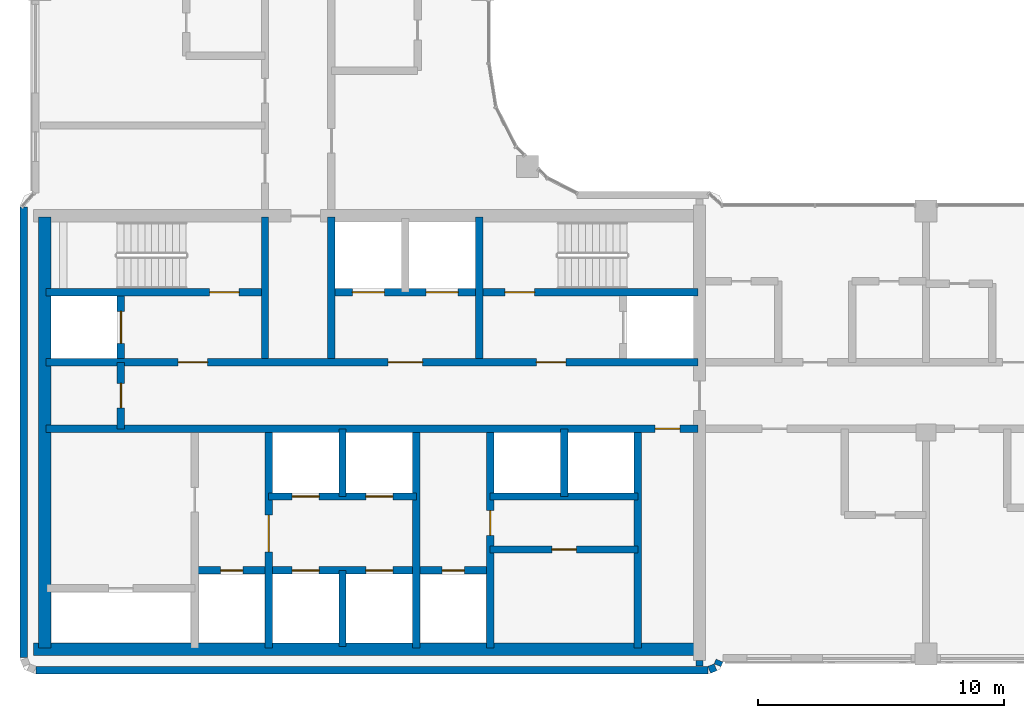
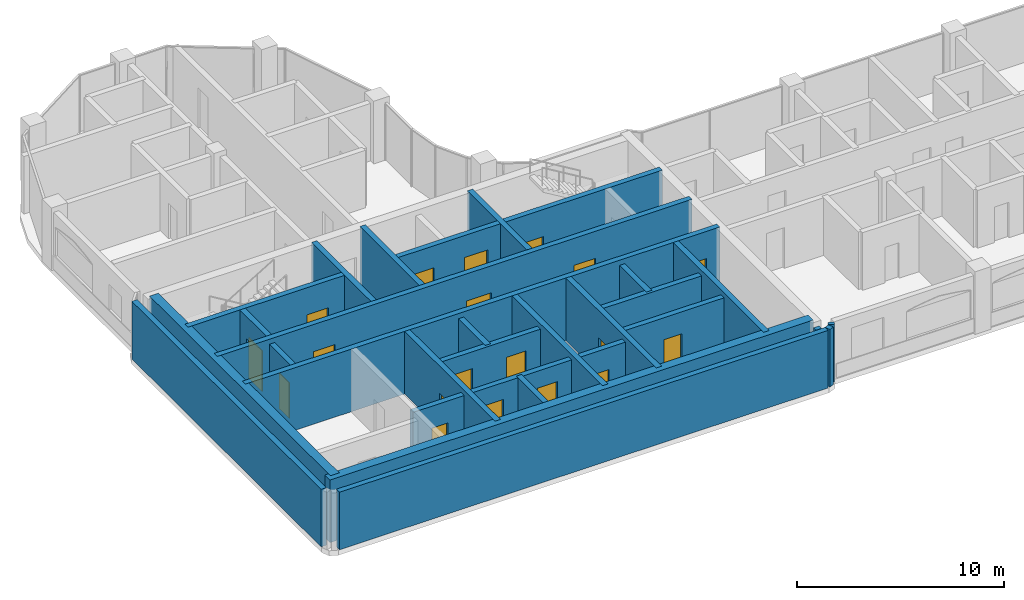
# One storey, part 9 of 17: 27 walls, 19 doors, 19 openings.
"""IFC4 building model written with IfcOpenShell, lengths in metres."""

from ifc_helpers import new_model, si_unit, direction, frame, frame_2d, origin, place, context, subcontext, project, spatial, rectangle, extrude, material, layer, layer_set, type_object, element, fill, save


model = new_model("IFC4")

# Units and contexts
model_context = context("Model", 3, precision=1e-05, world=origin(), true_north=direction((0.0, 1.0)))
body_context = subcontext(model_context, "Body", "Model", "MODEL_VIEW")
ifc_project = project(units=[si_unit("LENGTHUNIT", "METRE"), si_unit("AREAUNIT", "SQUARE_METRE"), si_unit("VOLUMEUNIT", "CUBIC_METRE"), si_unit("PLANEANGLEUNIT", "RADIAN"), si_unit("MASSUNIT", "GRAM", prefix="KILO")], contexts=[model_context])

# Site, building, storey
site_placement = place(None, origin())
site = spatial("IfcSite", under=ifc_project, at=site_placement, CompositionType="ELEMENT")
building_placement = place(site_placement, origin())
building = spatial("IfcBuilding", under=site, at=building_placement, Name="Ogive Portal Towers", CompositionType="ELEMENT")
storey_placement = place(building_placement, frame((0.0, 0.0, 221.699951171875)))
storey = spatial("IfcBuildingStorey", under=building, at=storey_placement, Name="L55", CompositionType="ELEMENT", Elevation=221.699951171875)

# Wall, opening, door
ifc_material_1 = material(Name="Concrete C60/75", Category="concrete")
ifc_layer_1 = layer(ifc_material_1, 0.300048828125)
ifc_layer_set_1 = layer_set([ifc_layer_1], Name="CORE WALL 300 C60")
wall_type_1 = type_object("IfcWallType", Name="CORE WALL 300 C60", PredefinedType="SHEAR", material=ifc_layer_set_1)
wall_1_placement = place(storey_placement, frame((40.800048828125, 21.75, 0.0), z_axis=(0.0, 0.0, 1.0), x_axis=(0.0, 1.0, 0.0)))
wall_1 = element("IfcWall", 1, at=wall_1_placement, inside=storey, type_object=wall_type_1, Name="Core wall X2 L55", PredefinedType="SHEAR", context=body_context, shape_type="SweptSolid", body=[
    extrude(rectangle(XDim=8.75, YDim=0.300048828125, at=frame_2d((4.375, 0.0))), origin(), (0.0, 0.0, 1.0), 3.699951171875),
])
opening_1_placement = place(wall_1_placement, frame((3.89990234375, 0.0, 0.0)))
opening_1 = element("IfcOpeningElement", 2, at=opening_1_placement, cuts=wall_1, Name="Opening D24-001", PredefinedType="OPENING", context=body_context, shape_type="SweptSolid", body=[
    extrude(rectangle(XDim=1.5, YDim=2.10009765625, at=frame_2d((0.75, 1.050048828125))), frame((0.0, 0.16015625, 0.0), z_axis=(0.0, -1.0, 0.0), x_axis=(1.0, 0.0, 0.0)), (0.0, 0.0, 1.0), 0.320068359375),
])
ifc_material_2 = material(Name="Steel fire door", Category="steel")
door_type_1 = type_object("IfcDoorType", Name="DT-SWING-1500x2100-FD90S", OperationType="SINGLE_SWING_LEFT", PredefinedType="DOOR", material=ifc_material_2)
door_1_placement = place(opening_1_placement, origin())
door_1 = element("IfcDoor", 3, at=door_1_placement, inside=storey, type_object=door_type_1, Name="Door D24-001", OperationType="SINGLE_SWING_RIGHT", OverallHeight=2.10009765625, OverallWidth=1.5, PredefinedType="DOOR", context=body_context, shape_type="SweptSolid", body=[
    extrude(rectangle(XDim=1.5, YDim=2.10009765625, at=frame_2d((0.75, 1.050048828125))), frame((0.0, 0.02490234375, 0.0), z_axis=(0.0, -1.0, 0.0), x_axis=(1.0, 0.0, 0.0)), (0.0, 0.0, 1.0), 0.050048828125),
])
fill(opening_1, door_1)

# Wall
wall_2_placement = place(storey_placement, frame((46.800048828125, 21.75, 0.0), z_axis=(0.0, 0.0, 1.0), x_axis=(0.0, 1.0, 0.0)))
element("IfcWall", 4, at=wall_2_placement, inside=storey, type_object=wall_type_1, Name="Core wall X3 L55", PredefinedType="SHEAR", context=body_context, shape_type="SweptSolid", body=[
    extrude(rectangle(XDim=8.75, YDim=0.300048828125, at=frame_2d((4.375, 0.0))), origin(), (0.0, 0.0, 1.0), 3.699951171875),
])

# Wall, opening, door
wall_3_placement = place(storey_placement, frame((49.800048828125, 21.75, 0.0), z_axis=(0.0, 0.0, 1.0), x_axis=(0.0, 1.0, 0.0)))
wall_3 = element("IfcWall", 5, at=wall_3_placement, inside=storey, type_object=wall_type_1, Name="Core wall X4 L55", PredefinedType="SHEAR", context=body_context, shape_type="SweptSolid", body=[
    extrude(rectangle(XDim=8.75, YDim=0.300048828125, at=frame_2d((4.375, 0.0))), origin(), (0.0, 0.0, 1.0), 3.699951171875),
])
opening_2_placement = place(wall_3_placement, frame((4.574951171875, 0.0, 0.0)))
opening_2 = element("IfcOpeningElement", 6, at=opening_2_placement, cuts=wall_3, Name="Opening D24-022", PredefinedType="OPENING", context=body_context, shape_type="SweptSolid", body=[
    extrude(rectangle(XDim=1.0, YDim=2.10009765625, at=frame_2d((0.5, 1.050048828125))), frame((0.0, 0.16015625, 0.0), z_axis=(0.0, -1.0, 0.0), x_axis=(1.0, 0.0, 0.0)), (0.0, 0.0, 1.0), 0.320068359375),
])
door_type_2 = type_object("IfcDoorType", Name="DT-SWING-1000x2100-FD90S", OperationType="SINGLE_SWING_LEFT", PredefinedType="DOOR", material=ifc_material_2)
door_2_placement = place(opening_2_placement, origin())
door_2 = element("IfcDoor", 7, at=door_2_placement, inside=storey, type_object=door_type_2, Name="Door D24-022", OperationType="SINGLE_SWING_LEFT", OverallHeight=2.10009765625, OverallWidth=1.0, PredefinedType="DOOR", context=body_context, shape_type="SweptSolid", body=[
    extrude(rectangle(XDim=1.0, YDim=2.10009765625, at=frame_2d((0.5, 1.050048828125))), frame((0.0, 0.02490234375, 0.0), z_axis=(0.0, -1.0, 0.0), x_axis=(1.0, 0.0, 0.0)), (0.0, 0.0, 1.0), 0.050048828125),
])
fill(opening_2, door_2)

# Wall
wall_4_placement = place(storey_placement, frame((55.800048828125, 21.75, 0.0), z_axis=(0.0, 0.0, 1.0), x_axis=(0.0, 1.0, 0.0)))
element("IfcWall", 8, at=wall_4_placement, inside=storey, type_object=wall_type_1, Name="Core wall X5 L55", PredefinedType="SHEAR", context=body_context, shape_type="SweptSolid", body=[
    extrude(rectangle(XDim=8.75, YDim=0.300048828125, at=frame_2d((4.375, 0.0))), origin(), (0.0, 0.0, 1.0), 3.699951171875),
])

# Wall, opening, door
wall_5_placement = place(storey_placement, frame((31.75, 30.64990234375, 0.0), z_axis=(0.0, 0.0, 1.0), x_axis=(1.0, 0.0, 0.0)))
wall_5 = element("IfcWall", 9, at=wall_5_placement, inside=storey, type_object=wall_type_1, Name="Core wall Y1 L55", PredefinedType="SHEAR", context=body_context, shape_type="SweptSolid", body=[
    extrude(rectangle(XDim=26.5, YDim=0.300048828125, at=frame_2d((13.25, 0.0))), origin(), (0.0, 0.0, 1.0), 3.699951171875),
])
opening_3_placement = place(wall_5_placement, frame((24.75, 0.0, 0.0)))
opening_3 = element("IfcOpeningElement", 10, at=opening_3_placement, cuts=wall_5, Name="Opening D24-009", PredefinedType="OPENING", context=body_context, shape_type="SweptSolid", body=[
    extrude(rectangle(XDim=1.0, YDim=2.10009765625, at=frame_2d((0.5, 1.050048828125))), frame((0.0, 0.16015625, 0.0), z_axis=(0.0, -1.0, 0.0), x_axis=(1.0, 0.0, 0.0)), (0.0, 0.0, 1.0), 0.320068359375),
])
door_3_placement = place(opening_3_placement, origin())
door_3 = element("IfcDoor", 11, at=door_3_placement, inside=storey, type_object=door_type_2, Name="Door D24-009", OperationType="SINGLE_SWING_LEFT", OverallHeight=2.10009765625, OverallWidth=1.0, PredefinedType="DOOR", context=body_context, shape_type="SweptSolid", body=[
    extrude(rectangle(XDim=1.0, YDim=2.10009765625, at=frame_2d((0.5, 1.050048828125))), frame((0.0, 0.02490234375, 0.0), z_axis=(0.0, -1.0, 0.0), x_axis=(1.0, 0.0, 0.0)), (0.0, 0.0, 1.0), 0.050048828125),
])
fill(opening_3, door_3)

# Wall, openings, doors
wall_6_placement = place(storey_placement, frame((31.75, 33.35009765625, 0.0), z_axis=(0.0, 0.0, 1.0), x_axis=(1.0, 0.0, 0.0)))
wall_6 = element("IfcWall", 12, at=wall_6_placement, inside=storey, type_object=wall_type_1, Name="Core wall Y2 L55", PredefinedType="SHEAR", context=body_context, shape_type="SweptSolid", body=[
    extrude(rectangle(XDim=26.5, YDim=0.300048828125, at=frame_2d((13.25, 0.0))), origin(), (0.0, 0.0, 1.0), 3.699951171875),
])
opening_4_placement = place(wall_6_placement, frame((13.89990234375, 0.0, 0.0)))
opening_4 = element("IfcOpeningElement", 13, at=opening_4_placement, cuts=wall_6, Name="Opening D24-002", PredefinedType="OPENING", context=body_context, shape_type="SweptSolid", body=[
    extrude(rectangle(XDim=1.39990234375, YDim=2.10009765625, at=frame_2d((0.699951171875, 1.050048828125))), frame((0.0, 0.16015625, 0.0), z_axis=(0.0, -1.0, 0.0), x_axis=(1.0, 0.0, 0.0)), (0.0, 0.0, 1.0), 0.320068359375),
])
opening_5_placement = place(wall_6_placement, frame((5.375, 0.0, 0.0)))
opening_5 = element("IfcOpeningElement", 14, at=opening_5_placement, cuts=wall_6, Name="Opening D24-003", PredefinedType="OPENING", context=body_context, shape_type="SweptSolid", body=[
    extrude(rectangle(XDim=1.199951171875, YDim=2.10009765625, at=frame_2d((0.60009765625, 1.050048828125))), frame((0.0, 0.16015625, 0.0), z_axis=(0.0, -1.0, 0.0), x_axis=(1.0, 0.0, 0.0)), (0.0, 0.0, 1.0), 0.320068359375),
])
opening_6_placement = place(wall_6_placement, frame((19.925048828125, 0.0, 0.0)))
opening_6 = element("IfcOpeningElement", 15, at=opening_6_placement, cuts=wall_6, Name="Opening D24-004", PredefinedType="OPENING", context=body_context, shape_type="SweptSolid", body=[
    extrude(rectangle(XDim=1.199951171875, YDim=2.10009765625, at=frame_2d((0.60009765625, 1.050048828125))), frame((0.0, 0.16015625, 0.0), z_axis=(0.0, -1.0, 0.0), x_axis=(1.0, 0.0, 0.0)), (0.0, 0.0, 1.0), 0.320068359375),
])
door_type_3 = type_object("IfcDoorType", Name="DT-SWING-1200x2100-FD90S", OperationType="SINGLE_SWING_LEFT", PredefinedType="DOOR", material=ifc_material_2)
door_4_placement = place(opening_5_placement, origin())
door_4 = element("IfcDoor", 16, at=door_4_placement, inside=storey, type_object=door_type_3, Name="Door D24-003", OperationType="SINGLE_SWING_LEFT", OverallHeight=2.10009765625, OverallWidth=1.199951171875, PredefinedType="DOOR", context=body_context, shape_type="SweptSolid", body=[
    extrude(rectangle(XDim=1.199951171875, YDim=2.10009765625, at=frame_2d((0.60009765625, 1.050048828125))), frame((0.0, 0.02490234375, 0.0), z_axis=(0.0, -1.0, 0.0), x_axis=(1.0, 0.0, 0.0)), (0.0, 0.0, 1.0), 0.050048828125),
])
fill(opening_5, door_4)
door_5_placement = place(opening_6_placement, origin())
door_5 = element("IfcDoor", 17, at=door_5_placement, inside=storey, type_object=door_type_3, Name="Door D24-004", OperationType="SINGLE_SWING_RIGHT", OverallHeight=2.10009765625, OverallWidth=1.199951171875, PredefinedType="DOOR", context=body_context, shape_type="SweptSolid", body=[
    extrude(rectangle(XDim=1.199951171875, YDim=2.10009765625, at=frame_2d((0.60009765625, 1.050048828125))), frame((0.0, 0.02490234375, 0.0), z_axis=(0.0, -1.0, 0.0), x_axis=(1.0, 0.0, 0.0)), (0.0, 0.0, 1.0), 0.050048828125),
])
fill(opening_6, door_5)
door_type_4 = type_object("IfcDoorType", Name="DT-SWING-1400x2100-FD90S", OperationType="SINGLE_SWING_LEFT", PredefinedType="DOOR", material=ifc_material_2)
door_6_placement = place(opening_4_placement, origin())
door_6 = element("IfcDoor", 18, at=door_6_placement, inside=storey, type_object=door_type_4, Name="Door D24-002", OperationType="SINGLE_SWING_RIGHT", OverallHeight=2.10009765625, OverallWidth=1.39990234375, PredefinedType="DOOR", context=body_context, shape_type="SweptSolid", body=[
    extrude(rectangle(XDim=1.39990234375, YDim=2.10009765625, at=frame_2d((0.699951171875, 1.050048828125))), frame((0.0, 0.02490234375, 0.0), z_axis=(0.0, -1.0, 0.0), x_axis=(1.0, 0.0, 0.0)), (0.0, 0.0, 1.0), 0.050048828125),
])
fill(opening_4, door_6)

# Wall, opening, door
wall_7_placement = place(storey_placement, frame((31.75, 36.199951171875, 0.0), z_axis=(0.0, 0.0, 1.0), x_axis=(1.0, 0.0, 0.0)))
wall_7 = element("IfcWall", 19, at=wall_7_placement, inside=storey, type_object=wall_type_1, Name="Core wall Y3a L55", PredefinedType="SHEAR", context=body_context, shape_type="SweptSolid", body=[
    extrude(rectangle(XDim=8.75, YDim=0.300048828125, at=frame_2d((4.375, 0.0))), origin(), (0.0, 0.0, 1.0), 3.699951171875),
])
opening_7_placement = place(wall_7_placement, frame((6.64990234375, 0.0, 0.0)))
opening_7 = element("IfcOpeningElement", 20, at=opening_7_placement, cuts=wall_7, Name="Opening D24-005", PredefinedType="OPENING", context=body_context, shape_type="SweptSolid", body=[
    extrude(rectangle(XDim=1.199951171875, YDim=2.10009765625, at=frame_2d((0.60009765625, 1.050048828125))), frame((0.0, 0.16015625, 0.0), z_axis=(0.0, -1.0, 0.0), x_axis=(1.0, 0.0, 0.0)), (0.0, 0.0, 1.0), 0.320068359375),
])
door_7_placement = place(opening_7_placement, origin())
door_7 = element("IfcDoor", 21, at=door_7_placement, inside=storey, type_object=door_type_3, Name="Door D24-005", OperationType="SINGLE_SWING_RIGHT", OverallHeight=2.10009765625, OverallWidth=1.199951171875, PredefinedType="DOOR", context=body_context, shape_type="SweptSolid", body=[
    extrude(rectangle(XDim=1.199951171875, YDim=2.10009765625, at=frame_2d((0.60009765625, 1.050048828125))), frame((0.0, 0.02490234375, 0.0), z_axis=(0.0, -1.0, 0.0), x_axis=(1.0, 0.0, 0.0)), (0.0, 0.0, 1.0), 0.050048828125),
])
fill(opening_7, door_7)

# Wall, openings, doors
wall_8_placement = place(storey_placement, frame((43.5, 36.199951171875, 0.0), z_axis=(0.0, 0.0, 1.0), x_axis=(1.0, 0.0, 0.0)))
wall_8 = element("IfcWall", 22, at=wall_8_placement, inside=storey, type_object=wall_type_1, Name="Core wall Y3b L55", PredefinedType="SHEAR", context=body_context, shape_type="SweptSolid", body=[
    extrude(rectangle(XDim=14.75, YDim=0.300048828125, at=frame_2d((7.375, 0.0))), origin(), (0.0, 0.0, 1.0), 3.699951171875),
])
opening_8_placement = place(wall_8_placement, frame((6.89990234375, 0.0, 0.0)))
opening_8 = element("IfcOpeningElement", 23, at=opening_8_placement, cuts=wall_8, Name="Opening D24-006", PredefinedType="OPENING", context=body_context, shape_type="SweptSolid", body=[
    extrude(rectangle(XDim=1.199951171875, YDim=2.10009765625, at=frame_2d((0.60009765625, 1.050048828125))), frame((0.0, 0.16015625, 0.0), z_axis=(0.0, -1.0, 0.0), x_axis=(1.0, 0.0, 0.0)), (0.0, 0.0, 1.0), 0.320068359375),
])
opening_9_placement = place(wall_8_placement, frame((0.699951171875, 0.0, 0.0)))
opening_9 = element("IfcOpeningElement", 24, at=opening_9_placement, cuts=wall_8, Name="Opening D24-016", PredefinedType="OPENING", context=body_context, shape_type="SweptSolid", body=[
    extrude(rectangle(XDim=1.300048828125, YDim=2.39990234375, at=frame_2d((0.64990234375, 1.199951171875))), frame((0.0, 0.16015625, 0.0), z_axis=(0.0, -1.0, 0.0), x_axis=(1.0, 0.0, 0.0)), (0.0, 0.0, 1.0), 0.320068359375),
])
opening_10_placement = place(wall_8_placement, frame((3.699951171875, 0.0, 0.0)))
opening_10 = element("IfcOpeningElement", 25, at=opening_10_placement, cuts=wall_8, Name="Opening D24-017", PredefinedType="OPENING", context=body_context, shape_type="SweptSolid", body=[
    extrude(rectangle(XDim=1.300048828125, YDim=2.39990234375, at=frame_2d((0.64990234375, 1.199951171875))), frame((0.0, 0.16015625, 0.0), z_axis=(0.0, -1.0, 0.0), x_axis=(1.0, 0.0, 0.0)), (0.0, 0.0, 1.0), 0.320068359375),
])
ifc_material_3 = material(Name="Stainless steel", Category="steel")
door_type_5 = type_object("IfcDoorType", Name="DT-LD-1300x2400", OperationType="SLIDING_TO_LEFT", PredefinedType="DOOR", material=ifc_material_3)
door_8_placement = place(opening_9_placement, origin())
door_8 = element("IfcDoor", 26, at=door_8_placement, inside=storey, type_object=door_type_5, Name="Door D24-016", OperationType="SLIDING_TO_LEFT", OverallHeight=2.39990234375, OverallWidth=1.300048828125, PredefinedType="DOOR", context=body_context, shape_type="SweptSolid", body=[
    extrude(rectangle(XDim=1.300048828125, YDim=2.39990234375, at=frame_2d((0.64990234375, 1.199951171875))), frame((0.0, 0.02490234375, 0.0), z_axis=(0.0, -1.0, 0.0), x_axis=(1.0, 0.0, 0.0)), (0.0, 0.0, 1.0), 0.050048828125),
])
fill(opening_9, door_8)
door_9_placement = place(opening_10_placement, origin())
door_9 = element("IfcDoor", 27, at=door_9_placement, inside=storey, type_object=door_type_5, Name="Door D24-017", OperationType="SLIDING_TO_LEFT", OverallHeight=2.39990234375, OverallWidth=1.300048828125, PredefinedType="DOOR", context=body_context, shape_type="SweptSolid", body=[
    extrude(rectangle(XDim=1.300048828125, YDim=2.39990234375, at=frame_2d((0.64990234375, 1.199951171875))), frame((0.0, 0.02490234375, 0.0), z_axis=(0.0, -1.0, 0.0), x_axis=(1.0, 0.0, 0.0)), (0.0, 0.0, 1.0), 0.050048828125),
])
fill(opening_10, door_9)
door_10_placement = place(opening_8_placement, origin())
door_10 = element("IfcDoor", 28, at=door_10_placement, inside=storey, type_object=door_type_3, Name="Door D24-006", OperationType="SINGLE_SWING_LEFT", OverallHeight=2.10009765625, OverallWidth=1.199951171875, PredefinedType="DOOR", context=body_context, shape_type="SweptSolid", body=[
    extrude(rectangle(XDim=1.199951171875, YDim=2.10009765625, at=frame_2d((0.60009765625, 1.050048828125))), frame((0.0, 0.02490234375, 0.0), z_axis=(0.0, -1.0, 0.0), x_axis=(1.0, 0.0, 0.0)), (0.0, 0.0, 1.0), 0.050048828125),
])
fill(opening_8, door_10)

# Walls
for number, where, z_axis, x_axis, name in (
    (29, (40.64990234375, 33.5, 0.0), (0.0, 0.0, 1.0), (0.0, 1.0, 0.0), "Core wall X6 L55"),
    (30, (43.35009765625, 33.5, 0.0), (0.0, 0.0, 1.0), (0.0, 1.0, 0.0), "Core wall X7 L55"),
):
    element("IfcWall", number, at=place(storey_placement, frame(where, z_axis=z_axis, x_axis=x_axis)), inside=storey, type_object=wall_type_1, Name=name, PredefinedType="SHEAR", context=body_context, shape_type="SweptSolid", body=[
        extrude(rectangle(XDim=5.75, YDim=0.300048828125, at=frame_2d((2.875, 0.0))), origin(), (0.0, 0.0, 1.0), 3.699951171875),
    ])

# Wall, opening, door
wall_9_placement = place(storey_placement, frame((34.800048828125, 33.5, 0.0), z_axis=(0.0, 0.0, 1.0), x_axis=(0.0, 1.0, 0.0)))
wall_9 = element("IfcWall", 31, at=wall_9_placement, inside=storey, type_object=wall_type_1, Name="Core wall X8 L55", PredefinedType="SHEAR", context=body_context, shape_type="SweptSolid", body=[
    extrude(rectangle(XDim=2.550048828125, YDim=0.300048828125, at=frame_2d((1.27490234375, 0.0))), origin(), (0.0, 0.0, 1.0), 3.699951171875),
])
opening_11_placement = place(wall_9_placement, frame((0.625, 0.0, 0.0)))
opening_11 = element("IfcOpeningElement", 32, at=opening_11_placement, cuts=wall_9, Name="Opening D24-018", PredefinedType="OPENING", context=body_context, shape_type="SweptSolid", body=[
    extrude(rectangle(XDim=1.300048828125, YDim=2.39990234375, at=frame_2d((0.64990234375, 1.199951171875))), frame((0.0, 0.16015625, 0.0), z_axis=(0.0, -1.0, 0.0), x_axis=(1.0, 0.0, 0.0)), (0.0, 0.0, 1.0), 0.320068359375),
])
door_11_placement = place(opening_11_placement, origin())
door_11 = element("IfcDoor", 33, at=door_11_placement, inside=storey, type_object=door_type_5, Name="Door D24-018", OperationType="SLIDING_TO_LEFT", OverallHeight=2.39990234375, OverallWidth=1.300048828125, PredefinedType="DOOR", context=body_context, shape_type="SweptSolid", body=[
    extrude(rectangle(XDim=1.300048828125, YDim=2.39990234375, at=frame_2d((0.64990234375, 1.199951171875))), frame((0.0, 0.02490234375, 0.0), z_axis=(0.0, -1.0, 0.0), x_axis=(1.0, 0.0, 0.0)), (0.0, 0.0, 1.0), 0.050048828125),
])
fill(opening_11, door_11)

# Walls
wall_10_placement = place(storey_placement, frame((49.35009765625, 33.5, 0.0), z_axis=(0.0, 0.0, 1.0), x_axis=(0.0, 1.0, 0.0)))
element("IfcWall", 34, at=wall_10_placement, inside=storey, type_object=wall_type_1, Name="Core wall X9 L55", PredefinedType="SHEAR", context=body_context, shape_type="SweptSolid", body=[
    extrude(rectangle(XDim=5.75, YDim=0.300048828125, at=frame_2d((2.875, 0.0))), origin(), (0.0, 0.0, 1.0), 3.699951171875),
])
ifc_layer_2 = layer(ifc_material_1, 0.5)
ifc_layer_set_2 = layer_set([ifc_layer_2], Name="CORE WALL 500 C60")
wall_type_2 = type_object("IfcWallType", Name="CORE WALL 500 C60", PredefinedType="SHEAR", material=ifc_layer_set_2)
wall_11_placement = place(storey_placement, frame((31.699951171875, 21.75, 0.0), z_axis=(0.0, 0.0, 1.0), x_axis=(0.0, 1.0, 0.0)))
element("IfcWall", 35, at=wall_11_placement, inside=storey, type_object=wall_type_2, Name="Core wall W L55", PredefinedType="SHEAR", context=body_context, shape_type="SweptSolid", body=[
    extrude(rectangle(XDim=17.5, YDim=0.5, at=frame_2d((8.75, 0.0))), origin(), (0.0, 0.0, 1.0), 3.699951171875),
])
wall_12_placement = place(storey_placement, frame((31.25, 21.699951171875, 0.0), z_axis=(0.0, 0.0, 1.0), x_axis=(1.0, 0.0, 0.0)))
element("IfcWall", 36, at=wall_12_placement, inside=storey, type_object=wall_type_2, Name="Core wall S L55", PredefinedType="SHEAR", context=body_context, shape_type="SweptSolid", body=[
    extrude(rectangle(XDim=27.0, YDim=0.5, at=frame_2d((13.5, 0.0))), origin(), (0.0, 0.0, 1.0), 3.699951171875),
])
ifc_material_4 = material(Name="Limestone cladding on lightweight block wall", Category="masonry")
ifc_layer_3 = layer(ifc_material_4, 0.300048828125)
ifc_layer_set_3 = layer_set([ifc_layer_3], Name="EXTERNAL WALL 300 STONE")
wall_type_3 = type_object("IfcWallType", Name="EXTERNAL WALL 300 STONE", PredefinedType="SOLIDWALL", material=ifc_layer_set_3)
wall_13_placement = place(storey_placement, frame((30.85009765625, 39.669921875, 0.0), z_axis=(0.0, 0.0, 1.0), x_axis=(0.0, -1.0, 0.0)))
element("IfcWall", 37, at=wall_13_placement, inside=storey, type_object=wall_type_3, Name="A:L55:f14:r0:wall", PredefinedType="SOLIDWALL", context=body_context, shape_type="SweptSolid", body=[
    extrude(rectangle(XDim=18.310302734375, YDim=0.300048828125, at=frame_2d((9.1552734375, 0.0))), origin(), (0.0, 0.0, 1.0), 3.400146484375),
])
wall_14_placement = place(storey_placement, frame((31.359619140625, 20.85009765625, 0.0), z_axis=(0.0, 0.0, 1.0), x_axis=(1.0, 0.0, 0.0)))
element("IfcWall", 38, at=wall_14_placement, inside=storey, type_object=wall_type_3, Name="A:L55:f17:r0:wall", PredefinedType="SOLIDWALL", context=body_context, shape_type="SweptSolid", body=[
    extrude(rectangle(XDim=27.28076171875, YDim=0.300048828125, at=frame_2d((13.640380859375, 0.0))), origin(), (0.0, 0.0, 1.0), 3.400146484375),
])
wall_15_placement = place(storey_placement, frame((58.69775390625, 20.861328125, 0.0), z_axis=(0.0, 0.0, 1.0), x_axis=(0.923757413239, 0.38297812142, 0.0)))
element("IfcWall", 39, at=wall_15_placement, inside=storey, type_object=wall_type_3, Name="A:L55:f18:r0:wall", PredefinedType="SOLIDWALL", context=body_context, shape_type="SweptSolid", body=[
    extrude(rectangle(XDim=0.275390625, YDim=0.300048828125, at=frame_2d((0.1376953125, 0.0))), origin(), (0.0, 0.0, 1.0), 3.400146484375),
])
wall_16_placement = place(storey_placement, frame((59.033203125, 21.0478515625, 0.0), z_axis=(0.0, 0.0, 1.0), x_axis=(0.383262727373, 0.923639367831, 0.0)))
element("IfcWall", 40, at=wall_16_placement, inside=storey, type_object=wall_type_3, Name="A:L55:f19:r0:wall", PredefinedType="SOLIDWALL", context=body_context, shape_type="SweptSolid", body=[
    extrude(rectangle(XDim=0.205078125, YDim=0.300048828125, at=frame_2d((0.1025390625, 0.0))), origin(), (0.0, 0.0, 1.0), 3.400146484375),
])

# Wall, opening, door
ifc_material_5 = material(Name="Gypsum board partition on steel studs", Category="steel")
ifc_layer_4 = layer(ifc_material_5, 0.300048828125)
ifc_layer_set_4 = layer_set([ifc_layer_4], Name="WT-PART-300")
wall_type_4 = type_object("IfcWallType", Name="WT-PART-300", PredefinedType="PARTITIONING", material=ifc_layer_set_4)
wall_17_placement = place(storey_placement, frame((49.800048828125, 25.75, 0.0), z_axis=(0.0, 0.0, 1.0), x_axis=(1.0, 0.0, 0.0)))
wall_17 = element("IfcWall", 41, at=wall_17_placement, inside=storey, type_object=wall_type_4, Name="Wall pw:003:L55", PredefinedType="PARTITIONING", context=body_context, shape_type="SweptSolid", body=[
    extrude(rectangle(XDim=6.0, YDim=0.300048828125, at=frame_2d((3.0, 0.0))), origin(), (0.0, 0.0, 1.0), 3.400146484375),
])
opening_12_placement = place(wall_17_placement, frame((2.5, 0.0, 0.0)))
opening_12 = element("IfcOpeningElement", 42, at=opening_12_placement, cuts=wall_17, Name="Opening D24-023", PredefinedType="OPENING", context=body_context, shape_type="SweptSolid", body=[
    extrude(rectangle(XDim=1.0, YDim=2.10009765625, at=frame_2d((0.5, 1.050048828125))), frame((0.0, 0.16015625, 0.0), z_axis=(0.0, -1.0, 0.0), x_axis=(1.0, 0.0, 0.0)), (0.0, 0.0, 1.0), 0.320068359375),
])
door_type_6 = type_object("IfcDoorType", Name="DT-SWING-1000x2100-FD60S", OperationType="SINGLE_SWING_LEFT", PredefinedType="DOOR", material=ifc_material_2)
door_12_placement = place(opening_12_placement, origin())
door_12 = element("IfcDoor", 43, at=door_12_placement, inside=storey, type_object=door_type_6, Name="Door D24-023", OperationType="SINGLE_SWING_RIGHT", OverallHeight=2.10009765625, OverallWidth=1.0, PredefinedType="DOOR", context=body_context, shape_type="SweptSolid", body=[
    extrude(rectangle(XDim=1.0, YDim=2.10009765625, at=frame_2d((0.5, 1.050048828125))), frame((0.0, 0.02490234375, 0.0), z_axis=(0.0, -1.0, 0.0), x_axis=(1.0, 0.0, 0.0)), (0.0, 0.0, 1.0), 0.050048828125),
])
fill(opening_12, door_12)

# Wall
ifc_layer_5 = layer(ifc_material_5, 0.300048828125)
ifc_layer_set_5 = layer_set([ifc_layer_5], Name="WT-PART-300-EI 120")
wall_type_5 = type_object("IfcWallType", Name="WT-PART-300-EI 120", PredefinedType="PARTITIONING", material=ifc_layer_set_5)
wall_18_placement = place(storey_placement, frame((58.300048828125, 21.25, 0.0), z_axis=(0.0, 0.0, 1.0), x_axis=(0.0, -1.0, 0.0)))
element("IfcWall", 44, at=wall_18_placement, inside=storey, type_object=wall_type_5, Name="Wall L55:wc01", PredefinedType="PARTITIONING", context=body_context, shape_type="SweptSolid", body=[
    extrude(rectangle(XDim=0.239990234375, YDim=0.300048828125, at=frame_2d((0.1201171875, 0.0))), origin(), (0.0, 0.0, 1.0), 3.400146484375),
])

# Wall, openings, doors
ifc_material_6 = material(Name="Concrete C40/50", Category="concrete")
ifc_layer_6 = layer(ifc_material_6, 0.300048828125)
ifc_layer_set_6 = layer_set([ifc_layer_6], Name="WT-SHAFT-300")
wall_type_6 = type_object("IfcWallType", Name="WT-SHAFT-300", PredefinedType="SOLIDWALL", material=ifc_layer_set_6)
wall_19_placement = place(storey_placement, frame((37.800048828125, 24.89990234375, 0.0), z_axis=(0.0, 0.0, 1.0), x_axis=(1.0, 0.0, 0.0)))
wall_19 = element("IfcWall", 45, at=wall_19_placement, inside=storey, type_object=wall_type_6, Name="Wall pw:002:L55", PredefinedType="SOLIDWALL", context=body_context, shape_type="SweptSolid", body=[
    extrude(rectangle(XDim=12.0, YDim=0.300048828125, at=frame_2d((6.0, 0.0))), origin(), (0.0, 0.0, 1.0), 3.400146484375),
])
opening_13_placement = place(wall_19_placement, frame((1.050048828125, 0.0, 0.0)))
opening_13 = element("IfcOpeningElement", 46, at=opening_13_placement, cuts=wall_19, Name="Opening D24-007", PredefinedType="OPENING", context=body_context, shape_type="SweptSolid", body=[
    extrude(rectangle(XDim=0.89990234375, YDim=2.10009765625, at=frame_2d((0.449951171875, 1.050048828125))), frame((0.0, 0.16015625, 0.0), z_axis=(0.0, -1.0, 0.0), x_axis=(1.0, 0.0, 0.0)), (0.0, 0.0, 1.0), 0.320068359375),
])
opening_14_placement = place(wall_19_placement, frame((10.050048828125, 0.0, 0.0)))
opening_14 = element("IfcOpeningElement", 47, at=opening_14_placement, cuts=wall_19, Name="Opening D24-008", PredefinedType="OPENING", context=body_context, shape_type="SweptSolid", body=[
    extrude(rectangle(XDim=0.89990234375, YDim=2.10009765625, at=frame_2d((0.449951171875, 1.050048828125))), frame((0.0, 0.16015625, 0.0), z_axis=(0.0, -1.0, 0.0), x_axis=(1.0, 0.0, 0.0)), (0.0, 0.0, 1.0), 0.320068359375),
])
opening_15_placement = place(wall_19_placement, frame((3.949951171875, 0.0, 0.0)))
opening_15 = element("IfcOpeningElement", 48, at=opening_15_placement, cuts=wall_19, Name="Opening D24-012", PredefinedType="OPENING", context=body_context, shape_type="SweptSolid", body=[
    extrude(rectangle(XDim=1.10009765625, YDim=2.39990234375, at=frame_2d((0.550048828125, 1.199951171875))), frame((0.0, 0.16015625, 0.0), z_axis=(0.0, -1.0, 0.0), x_axis=(1.0, 0.0, 0.0)), (0.0, 0.0, 1.0), 0.320068359375),
])
opening_16_placement = place(wall_19_placement, frame((6.949951171875, 0.0, 0.0)))
opening_16 = element("IfcOpeningElement", 49, at=opening_16_placement, cuts=wall_19, Name="Opening D24-013", PredefinedType="OPENING", context=body_context, shape_type="SweptSolid", body=[
    extrude(rectangle(XDim=1.10009765625, YDim=2.39990234375, at=frame_2d((0.550048828125, 1.199951171875))), frame((0.0, 0.16015625, 0.0), z_axis=(0.0, -1.0, 0.0), x_axis=(1.0, 0.0, 0.0)), (0.0, 0.0, 1.0), 0.320068359375),
])
door_type_7 = type_object("IfcDoorType", Name="DT-LD-1100x2400", OperationType="SLIDING_TO_LEFT", PredefinedType="DOOR", material=ifc_material_3)
door_13_placement = place(opening_15_placement, origin())
door_13 = element("IfcDoor", 50, at=door_13_placement, inside=storey, type_object=door_type_7, Name="Door D24-012", OperationType="SLIDING_TO_LEFT", OverallHeight=2.39990234375, OverallWidth=1.10009765625, PredefinedType="DOOR", context=body_context, shape_type="SweptSolid", body=[
    extrude(rectangle(XDim=1.10009765625, YDim=2.39990234375, at=frame_2d((0.550048828125, 1.199951171875))), frame((0.0, 0.02490234375, 0.0), z_axis=(0.0, -1.0, 0.0), x_axis=(1.0, 0.0, 0.0)), (0.0, 0.0, 1.0), 0.050048828125),
])
fill(opening_15, door_13)
door_14_placement = place(opening_16_placement, origin())
door_14 = element("IfcDoor", 51, at=door_14_placement, inside=storey, type_object=door_type_7, Name="Door D24-013", OperationType="SLIDING_TO_LEFT", OverallHeight=2.39990234375, OverallWidth=1.10009765625, PredefinedType="DOOR", context=body_context, shape_type="SweptSolid", body=[
    extrude(rectangle(XDim=1.10009765625, YDim=2.39990234375, at=frame_2d((0.550048828125, 1.199951171875))), frame((0.0, 0.02490234375, 0.0), z_axis=(0.0, -1.0, 0.0), x_axis=(1.0, 0.0, 0.0)), (0.0, 0.0, 1.0), 0.050048828125),
])
fill(opening_16, door_14)
door_type_8 = type_object("IfcDoorType", Name="DT-SWING-900x2100-FD90S", OperationType="SINGLE_SWING_LEFT", PredefinedType="DOOR", material=ifc_material_2)
door_15_placement = place(opening_13_placement, origin())
door_15 = element("IfcDoor", 52, at=door_15_placement, inside=storey, type_object=door_type_8, Name="Riser access door D24-007", OperationType="SINGLE_SWING_LEFT", OverallHeight=2.10009765625, OverallWidth=0.89990234375, PredefinedType="DOOR", context=body_context, shape_type="SweptSolid", body=[
    extrude(rectangle(XDim=0.89990234375, YDim=2.10009765625, at=frame_2d((0.449951171875, 1.050048828125))), frame((0.0, 0.02490234375, 0.0), z_axis=(0.0, -1.0, 0.0), x_axis=(1.0, 0.0, 0.0)), (0.0, 0.0, 1.0), 0.050048828125),
])
fill(opening_13, door_15)
door_16_placement = place(opening_14_placement, origin())
door_16 = element("IfcDoor", 53, at=door_16_placement, inside=storey, type_object=door_type_8, Name="Riser access door D24-008", OperationType="SINGLE_SWING_RIGHT", OverallHeight=2.10009765625, OverallWidth=0.89990234375, PredefinedType="DOOR", context=body_context, shape_type="SweptSolid", body=[
    extrude(rectangle(XDim=0.89990234375, YDim=2.10009765625, at=frame_2d((0.449951171875, 1.050048828125))), frame((0.0, 0.02490234375, 0.0), z_axis=(0.0, -1.0, 0.0), x_axis=(1.0, 0.0, 0.0)), (0.0, 0.0, 1.0), 0.050048828125),
])
fill(opening_14, door_16)

wall_20_placement = place(storey_placement, frame((40.800048828125, 27.89990234375, 0.0), z_axis=(0.0, 0.0, 1.0), x_axis=(1.0, 0.0, 0.0)))
wall_20 = element("IfcWall", 54, at=wall_20_placement, inside=storey, type_object=wall_type_6, Name="Wall pw:004:L55", PredefinedType="SOLIDWALL", context=body_context, shape_type="SweptSolid", body=[
    extrude(rectangle(XDim=6.0, YDim=0.300048828125, at=frame_2d((3.0, 0.0))), origin(), (0.0, 0.0, 1.0), 3.400146484375),
])
opening_17_placement = place(wall_20_placement, frame((0.949951171875, 0.0, 0.0)))
opening_17 = element("IfcOpeningElement", 55, at=opening_17_placement, cuts=wall_20, Name="Opening D24-014", PredefinedType="OPENING", context=body_context, shape_type="SweptSolid", body=[
    extrude(rectangle(XDim=1.10009765625, YDim=2.39990234375, at=frame_2d((0.550048828125, 1.199951171875))), frame((0.0, 0.16015625, 0.0), z_axis=(0.0, -1.0, 0.0), x_axis=(1.0, 0.0, 0.0)), (0.0, 0.0, 1.0), 0.320068359375),
])
opening_18_placement = place(wall_20_placement, frame((3.949951171875, 0.0, 0.0)))
opening_18 = element("IfcOpeningElement", 56, at=opening_18_placement, cuts=wall_20, Name="Opening D24-015", PredefinedType="OPENING", context=body_context, shape_type="SweptSolid", body=[
    extrude(rectangle(XDim=1.10009765625, YDim=2.39990234375, at=frame_2d((0.550048828125, 1.199951171875))), frame((0.0, 0.16015625, 0.0), z_axis=(0.0, -1.0, 0.0), x_axis=(1.0, 0.0, 0.0)), (0.0, 0.0, 1.0), 0.320068359375),
])
door_17_placement = place(opening_17_placement, origin())
door_17 = element("IfcDoor", 57, at=door_17_placement, inside=storey, type_object=door_type_7, Name="Door D24-014", OperationType="SLIDING_TO_LEFT", OverallHeight=2.39990234375, OverallWidth=1.10009765625, PredefinedType="DOOR", context=body_context, shape_type="SweptSolid", body=[
    extrude(rectangle(XDim=1.10009765625, YDim=2.39990234375, at=frame_2d((0.550048828125, 1.199951171875))), frame((0.0, 0.02490234375, 0.0), z_axis=(0.0, -1.0, 0.0), x_axis=(1.0, 0.0, 0.0)), (0.0, 0.0, 1.0), 0.050048828125),
])
fill(opening_17, door_17)
door_18_placement = place(opening_18_placement, origin())
door_18 = element("IfcDoor", 58, at=door_18_placement, inside=storey, type_object=door_type_7, Name="Door D24-015", OperationType="SLIDING_TO_LEFT", OverallHeight=2.39990234375, OverallWidth=1.10009765625, PredefinedType="DOOR", context=body_context, shape_type="SweptSolid", body=[
    extrude(rectangle(XDim=1.10009765625, YDim=2.39990234375, at=frame_2d((0.550048828125, 1.199951171875))), frame((0.0, 0.02490234375, 0.0), z_axis=(0.0, -1.0, 0.0), x_axis=(1.0, 0.0, 0.0)), (0.0, 0.0, 1.0), 0.050048828125),
])
fill(opening_18, door_18)

# Wall
wall_21_placement = place(storey_placement, frame((49.800048828125, 27.89990234375, 0.0), z_axis=(0.0, 0.0, 1.0), x_axis=(1.0, 0.0, 0.0)))
element("IfcWall", 59, at=wall_21_placement, inside=storey, type_object=wall_type_6, Name="Wall pw:005:L55", PredefinedType="SOLIDWALL", context=body_context, shape_type="SweptSolid", body=[
    extrude(rectangle(XDim=6.0, YDim=0.300048828125, at=frame_2d((3.0, 0.0))), origin(), (0.0, 0.0, 1.0), 3.400146484375),
])

# Wall, opening, door
wall_22_placement = place(storey_placement, frame((34.800048828125, 30.64990234375, 0.0), z_axis=(0.0, 0.0, 1.0), x_axis=(0.0, 1.0, 0.0)))
wall_22 = element("IfcWall", 60, at=wall_22_placement, inside=storey, type_object=wall_type_6, Name="Wall pw:006:L55", PredefinedType="SOLIDWALL", context=body_context, shape_type="SweptSolid", body=[
    extrude(rectangle(XDim=2.7001953125, YDim=0.300048828125, at=frame_2d((1.35009765625, 0.0))), origin(), (0.0, 0.0, 1.0), 3.400146484375),
])
opening_19_placement = place(wall_22_placement, frame((0.85009765625, 0.0, 0.0)))
opening_19 = element("IfcOpeningElement", 61, at=opening_19_placement, cuts=wall_22, Name="Opening D24-024", PredefinedType="OPENING", context=body_context, shape_type="SweptSolid", body=[
    extrude(rectangle(XDim=1.0, YDim=2.10009765625, at=frame_2d((0.5, 1.050048828125))), frame((0.0, 0.16015625, 0.0), z_axis=(0.0, -1.0, 0.0), x_axis=(1.0, 0.0, 0.0)), (0.0, 0.0, 1.0), 0.320068359375),
])
door_19_placement = place(opening_19_placement, origin())
door_19 = element("IfcDoor", 62, at=door_19_placement, inside=storey, type_object=door_type_2, Name="Door D24-024", OperationType="SINGLE_SWING_LEFT", OverallHeight=2.10009765625, OverallWidth=1.0, PredefinedType="DOOR", context=body_context, shape_type="SweptSolid", body=[
    extrude(rectangle(XDim=1.0, YDim=2.10009765625, at=frame_2d((0.5, 1.050048828125))), frame((0.0, 0.02490234375, 0.0), z_axis=(0.0, -1.0, 0.0), x_axis=(1.0, 0.0, 0.0)), (0.0, 0.0, 1.0), 0.050048828125),
])
fill(opening_19, door_19)

# Walls
wall_23_placement = place(storey_placement, frame((43.800048828125, 21.800048828125, 0.0), z_axis=(0.0, 0.0, 1.0), x_axis=(0.0, 1.0, 0.0)))
element("IfcWall", 63, at=wall_23_placement, inside=storey, type_object=wall_type_6, Name="Wall pw:007:L55", PredefinedType="SOLIDWALL", context=body_context, shape_type="SweptSolid", body=[
    extrude(rectangle(XDim=3.099853515625, YDim=0.300048828125, at=frame_2d((1.5498046875, 0.0))), origin(), (0.0, 0.0, 1.0), 3.400146484375),
])
for number, where, z_axis, x_axis, name in (
    (64, (43.800048828125, 27.89990234375, 0.0), (0.0, 0.0, 1.0), (0.0, 1.0, 0.0), "Wall pw:008:L55"),
    (65, (52.800048828125, 27.89990234375, 0.0), (0.0, 0.0, 1.0), (0.0, 1.0, 0.0), "Wall pw:010:L55"),
):
    element("IfcWall", number, at=place(storey_placement, frame(where, z_axis=z_axis, x_axis=x_axis)), inside=storey, type_object=wall_type_6, Name=name, PredefinedType="SOLIDWALL", context=body_context, shape_type="SweptSolid", body=[
        extrude(rectangle(XDim=2.75, YDim=0.300048828125, at=frame_2d((1.375, 0.0))), origin(), (0.0, 0.0, 1.0), 3.400146484375),
    ])

save(model, "model.ifc")
